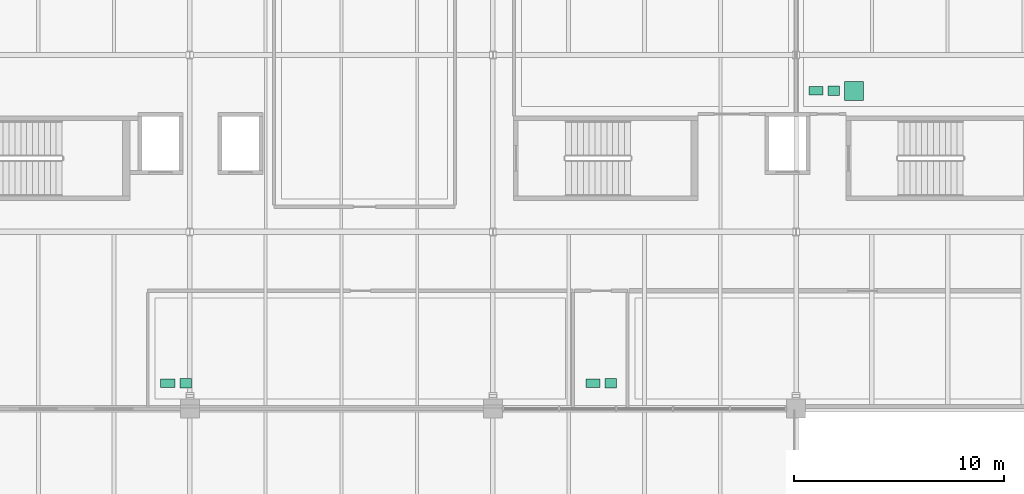
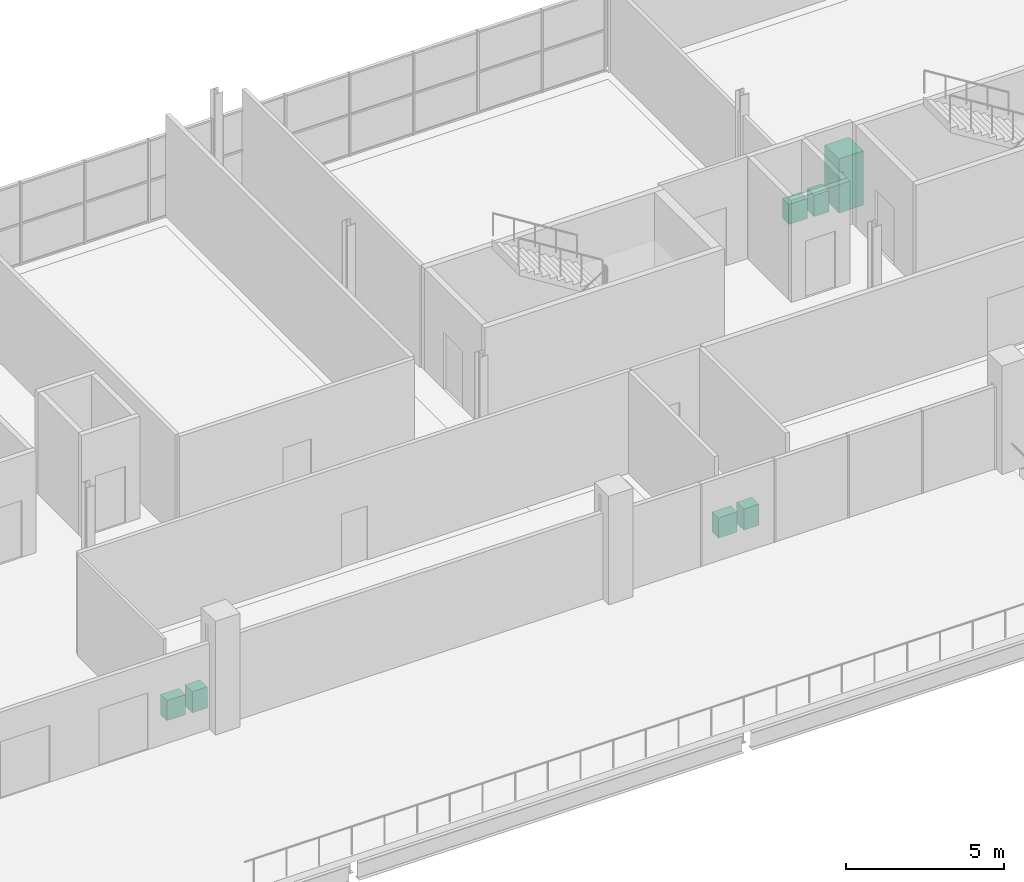
# One storey, part 93 of 93: 7 sanitary terminals.
"""IFC4 building model written with IfcOpenShell, lengths in metres."""

from ifc_helpers import new_model, si_unit, direction, frame, origin, origin_2d, place, context, subcontext, project, spatial, rectangle, extrude, material, type_object, element, save


model = new_model("IFC4")

# Units and contexts
model_context = context("Model", 3, precision=1e-05, world=origin(), true_north=direction((0.0, 1.0)))
body_context = subcontext(model_context, "Body", "Model", "MODEL_VIEW")
ifc_project = project(units=[si_unit("LENGTHUNIT", "METRE"), si_unit("AREAUNIT", "SQUARE_METRE"), si_unit("VOLUMEUNIT", "CUBIC_METRE"), si_unit("PLANEANGLEUNIT", "RADIAN"), si_unit("MASSUNIT", "GRAM", prefix="KILO"), si_unit("THERMODYNAMICTEMPERATUREUNIT", "KELVIN")], contexts=[model_context])

# Site, building, storey
site_placement = place(None, origin())
site = spatial("IfcSite", under=ifc_project, at=site_placement, CompositionType="ELEMENT")
building_placement = place(site_placement, origin())
building = spatial("IfcBuilding", under=site, at=building_placement, Name="Nduvali Passage Aquatics Centre", CompositionType="ELEMENT")
storey_placement = place(building_placement, frame((0.0, 0.0, 9.0)))
storey = spatial("IfcBuildingStorey", under=building, at=storey_placement, Name="L02", CompositionType="ELEMENT", Elevation=9.0)

# Sanitary terminals
ifc_material_1 = material(Name="Vitreous china sanitaryware")
sanitary_terminal_type_1 = type_object("IfcSanitaryTerminalType", Name="MEP-SAN-BAS", PredefinedType="WASHHANDBASIN", material=ifc_material_1)
for number, where, z_axis, x_axis, name in (
    (1, (113.39990234375, 107.5, 0.0), (0.0, 0.0, 1.0), (1.0, 0.0, 0.0), "L02 Sports Hydro-Rehabilitation and Gait Suite Washbasin"),
    (2, (82.60009765625, 93.60009765625, 0.0), (0.0, 0.0, 1.0), (1.0, 0.0, 0.0), "L02 L02 Clinic and Studio Public Toilets Washbasin"),
    (3, (102.800048828125, 93.60009765625, 0.0), (0.0, 0.0, 1.0), (1.0, 0.0, 0.0), "L02 L02 Accessible Patient and Athlete WC Washbasin"),
):
    element("IfcSanitaryTerminal", number, at=place(storey_placement, frame(where, z_axis=z_axis, x_axis=x_axis)), inside=storey, type_object=sanitary_terminal_type_1, Name=name, PredefinedType="WASHHANDBASIN", context=body_context, shape_type="SweptSolid", body=[
        extrude(rectangle(XDim=0.550048828125, YDim=0.449951171875, at=origin_2d()), origin(), (0.0, 0.0, 1.0), 0.820068359375),
    ])
ifc_material_2 = material(Name="Stainless steel shower unit", Category="steel")
sanitary_terminal_type_2 = type_object("IfcSanitaryTerminalType", Name="MEP-SAN-SHW", PredefinedType="SHOWER", material=ifc_material_2)
sanitary_terminal_placement = place(storey_placement, frame((114.35009765625, 107.5, 0.0), z_axis=(0.0, 0.0, 1.0), x_axis=(1.0, 0.0, 0.0)))
element("IfcSanitaryTerminal", 4, at=sanitary_terminal_placement, inside=storey, type_object=sanitary_terminal_type_2, Name="L02 Sports Hydro-Rehabilitation and Gait Suite Shower Unit", PredefinedType="SHOWER", context=body_context, shape_type="SweptSolid", body=[
    extrude(rectangle(XDim=0.89990234375, YDim=0.89990234375, at=origin_2d()), origin(), (0.0, 0.0, 1.0), 2.10009765625),
])
sanitary_terminal_type_3 = type_object("IfcSanitaryTerminalType", Name="MEP-SAN-WC", PredefinedType="TOILETPAN", material=ifc_material_1)
for number, where, z_axis, x_axis, name in (
    (5, (112.550048828125, 107.5, 0.0), (0.0, 0.0, 1.0), (1.0, 0.0, 0.0), "L02 Sports Hydro-Rehabilitation and Gait Suite WC Pan"),
    (6, (81.75, 93.60009765625, 0.0), (0.0, 0.0, 1.0), (1.0, 0.0, 0.0), "L02 L02 Clinic and Studio Public Toilets WC Pan"),
    (7, (101.949951171875, 93.60009765625, 0.0), (0.0, 0.0, 1.0), (1.0, 0.0, 0.0), "L02 L02 Accessible Patient and Athlete WC WC Pan"),
):
    element("IfcSanitaryTerminal", number, at=place(storey_placement, frame(where, z_axis=z_axis, x_axis=x_axis)), inside=storey, type_object=sanitary_terminal_type_3, Name=name, PredefinedType="TOILETPAN", context=body_context, shape_type="SweptSolid", body=[
        extrude(rectangle(XDim=0.679931640625, YDim=0.39990234375, at=origin_2d()), origin(), (0.0, 0.0, 1.0), 0.780029296875),
    ])

save(model, "model.ifc")
